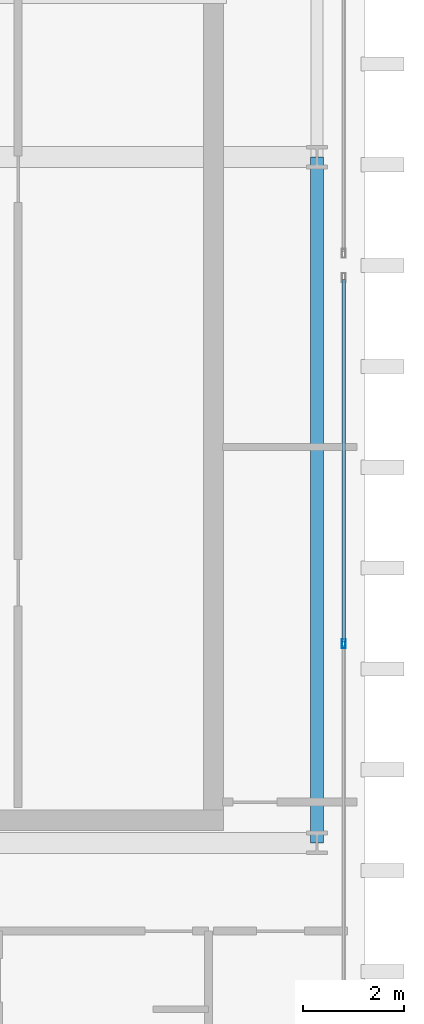
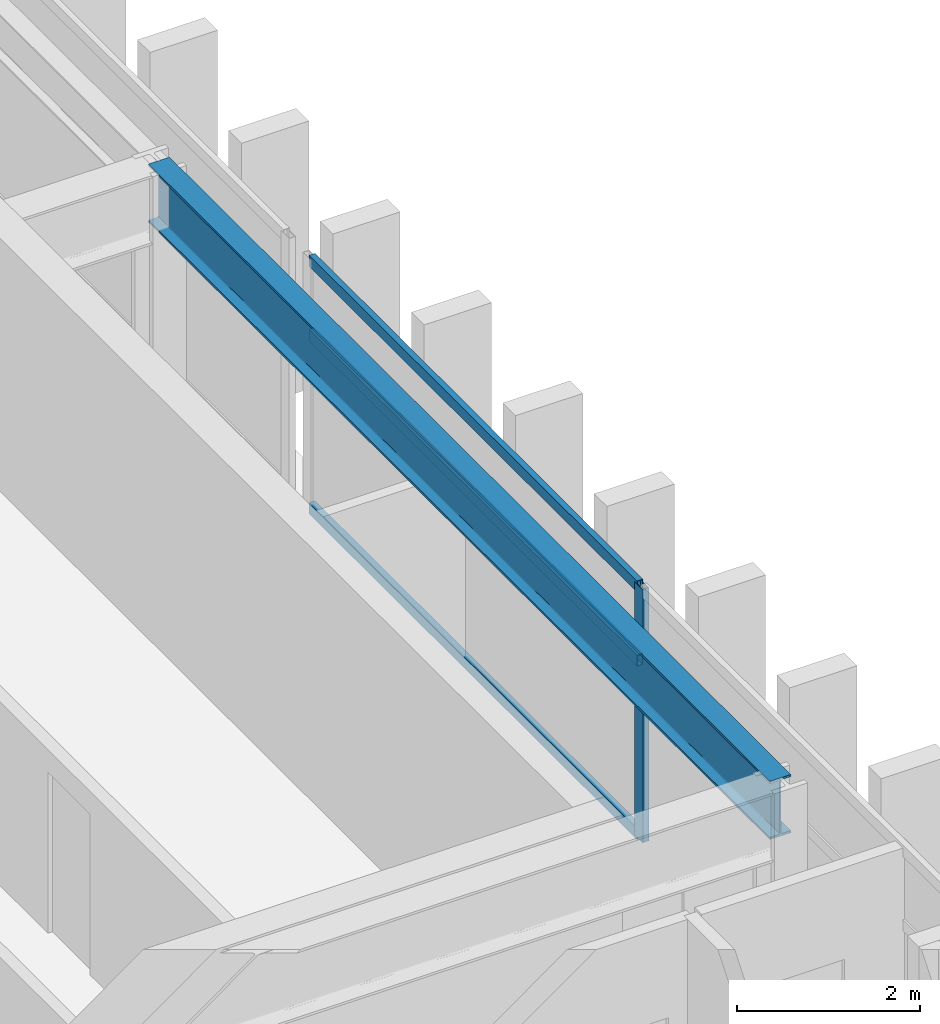
# One storey, part 10 of 25: 4 members, 1 beam, 1 element without a shape of its own.
"""IFC4 building model written with IfcOpenShell, lengths in metres."""

from ifc_helpers import new_model, si_unit, direction, frame, origin, origin_2d, place, context, subcontext, project, spatial, hollow_rectangle, i_section, extrude, source, transform, mapped, material, layer, layer_set, material_profile, profile_set, type_object, element, aggregate, save


model = new_model("IFC4")

# Units and contexts
model_context = context("Model", 3, precision=1e-05, world=origin(), true_north=direction((0.0, 1.0)))
body_context = subcontext(model_context, "Body", "Model", "MODEL_VIEW")
ifc_project = project(units=[si_unit("LENGTHUNIT", "METRE"), si_unit("AREAUNIT", "SQUARE_METRE"), si_unit("VOLUMEUNIT", "CUBIC_METRE"), si_unit("PLANEANGLEUNIT", "RADIAN"), si_unit("MASSUNIT", "GRAM", prefix="KILO")], contexts=[model_context])

# Site, building, storey
site_placement = place(None, origin())
site = spatial("IfcSite", under=ifc_project, at=site_placement, CompositionType="ELEMENT")
building_placement = place(site_placement, origin())
building = spatial("IfcBuilding", under=site, at=building_placement, Name="Ocotamira Hotel", CompositionType="ELEMENT")
storey_placement = place(building_placement, frame((0.0, 0.0, 254.39990234375)))
storey = spatial("IfcBuildingStorey", under=building, at=storey_placement, Name="L64", CompositionType="ELEMENT", Elevation=254.39990234375)

# Beam
ifc_material_1 = material(Name="Steel ASTM A992 Grade 50", Category="steel")
ifc_material_profile_1 = material_profile(ifc_material_1, i_section(OverallWidth=0.26611328125, OverallDepth=0.779052734375, WebThickness=0.0166015625, FlangeThickness=0.030029296875, FilletRadius=0.01806640625, at=origin_2d()), Name="W30X148")
ifc_profile_set_1 = profile_set([ifc_material_profile_1], Name="Steel ASTM A992 Grade 50")
beam_type = type_object("IfcBeamType", Name="BM-GIRD-W30X148", PredefinedType="BEAM", material=ifc_profile_set_1)
shared_shape_1 = source(origin(), body_context, "Body", "SweptSolid", [
    extrude(i_section(OverallWidth=0.26611328125, OverallDepth=0.779052734375, WebThickness=0.0166015625, FlangeThickness=0.030029296875, FilletRadius=0.01806640625, at=origin_2d()), origin(), (0.0, 0.0, 1.0), 13.599853515625),
])
beam_placement = place(storey_placement, frame((55.050048828125, 14.550048828125, 2.990478515625), z_axis=(0.0, 1.0, 0.0), x_axis=(-1.0, 0.0, 0.0)))
element("IfcBeam", 1, at=beam_placement, inside=storey, type_object=beam_type, Name="L64 Beam X55.05 Y14.55-28.15", PredefinedType="BEAM", context=body_context, shape_type="MappedRepresentation", body=[
    mapped(shared_shape_1, transform((0.0, 0.0, 0.0), scale=1.0)),
])

# Curtain wall, members
ifc_material_2 = material(Name="Anodised pale-metal aluminium and solar glass", Category="aluminium")
ifc_layer = layer(ifc_material_2, 0.2099609375)
ifc_layer_set = layer_set([ifc_layer], Name="Anodised pale-metal aluminium and solar glass")
curtain_wall_type = type_object("IfcCurtainWallType", Name="CW-SYS7-PEAK", PredefinedType="NOTDEFINED", material=ifc_layer_set)
curtain_wall_placement = place(storey_placement, origin())
curtain_wall = element("IfcCurtainWall", 2, at=curtain_wall_placement, inside=storey, type_object=curtain_wall_type, Name="L64 Curtain Wall CW-7 CW-L64-EO1", PredefinedType="NOTDEFINED")
ifc_material_3 = material(Name="Anodised pale-metal aluminium 6063-T6", Category="aluminium")
ifc_material_profile_2 = material_profile(ifc_material_3, hollow_rectangle(XDim=0.080078125, YDim=0.179931640625, WallThickness=0.006103515625, at=origin_2d()), Name="HSS180X80X6")
ifc_profile_set_2 = profile_set([ifc_material_profile_2], Name="Anodised pale-metal aluminium 6063-T6")
member_type_1 = type_object("IfcMemberType", Name="CWM-180X75", PredefinedType="MULLION", material=ifc_profile_set_2)
shared_shape_2 = source(origin(), body_context, "Body", "SweptSolid", [
    extrude(hollow_rectangle(XDim=0.080078125, YDim=0.179931640625, WallThickness=0.006103515625, at=origin_2d()), origin(), (0.0, 0.0, 1.0), 3.380126953125),
])
member_1_placement = place(storey_placement, frame((55.580078125, 18.5, 0.0), z_axis=(0.0, 0.0, 1.0), x_axis=(-1.0, 0.0, 0.0)))
member_1 = element("IfcMember", 3, at=member_1_placement, type_object=member_type_1, Name="CW-7 mullion 2", PredefinedType="MULLION", context=body_context, shape_type="MappedRepresentation", body=[
    mapped(shared_shape_2, transform((0.0, 0.0, 0.0), scale=1.0)),
])
ifc_material_profile_3 = material_profile(ifc_material_3, hollow_rectangle(XDim=0.074951171875, YDim=0.14990234375, WallThickness=0.006103515625, at=origin_2d()), Name="HSS150X75X6")
ifc_profile_set_3 = profile_set([ifc_material_profile_3], Name="Anodised pale-metal aluminium 6063-T6")
member_type_2 = type_object("IfcMemberType", Name="CWT-150X75", PredefinedType="USERDEFINED", material=ifc_profile_set_3)
shared_shape_3 = source(origin(), body_context, "Body", "SweptSolid", [
    extrude(hollow_rectangle(XDim=0.074951171875, YDim=0.14990234375, WallThickness=0.006103515625, at=origin_2d()), origin(), (0.0, 0.0, 1.0), 7.179931640625),
])
member_2_placement = place(storey_placement, frame((55.580078125, 18.5400390625, 0.03759765625), z_axis=(0.0, 1.0, 0.0), x_axis=(-1.0, 0.0, 0.0)))
member_2 = element("IfcMember", 4, at=member_2_placement, type_object=member_type_2, Name="CW-7 transom 2.1", ObjectType="TRANSOM", PredefinedType="USERDEFINED", context=body_context, shape_type="MappedRepresentation", body=[
    mapped(shared_shape_3, transform((0.0, 0.0, 0.0), scale=1.0)),
])
member_3_placement = place(storey_placement, frame((55.580078125, 18.5400390625, 2.35009765625), z_axis=(0.0, 1.0, 0.0), x_axis=(-1.0, 0.0, 0.0)))
member_3 = element("IfcMember", 5, at=member_3_placement, type_object=member_type_2, Name="CW-7 transom 2.2", ObjectType="TRANSOM", PredefinedType="USERDEFINED", context=body_context, shape_type="MappedRepresentation", body=[
    mapped(shared_shape_3, transform((0.0, 0.0, 0.0), scale=1.0)),
])
member_4_placement = place(storey_placement, frame((55.580078125, 18.5400390625, 3.342529296875), z_axis=(0.0, 1.0, 0.0), x_axis=(-1.0, 0.0, 0.0)))
member_4 = element("IfcMember", 6, at=member_4_placement, type_object=member_type_2, Name="CW-7 transom 2.3", ObjectType="TRANSOM", PredefinedType="USERDEFINED", context=body_context, shape_type="MappedRepresentation", body=[
    mapped(shared_shape_3, transform((0.0, 0.0, 0.0), scale=1.0)),
])
aggregate(curtain_wall, [member_1, member_2, member_3, member_4])

save(model, "model.ifc")
